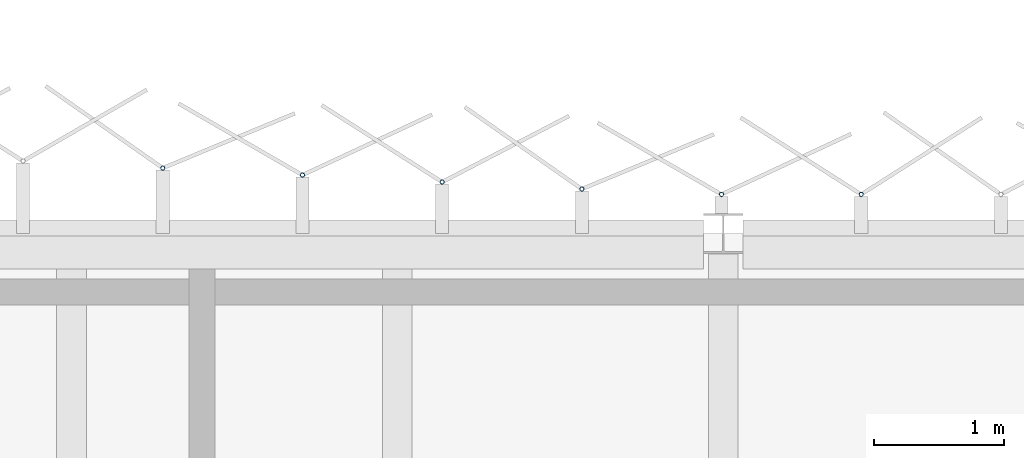
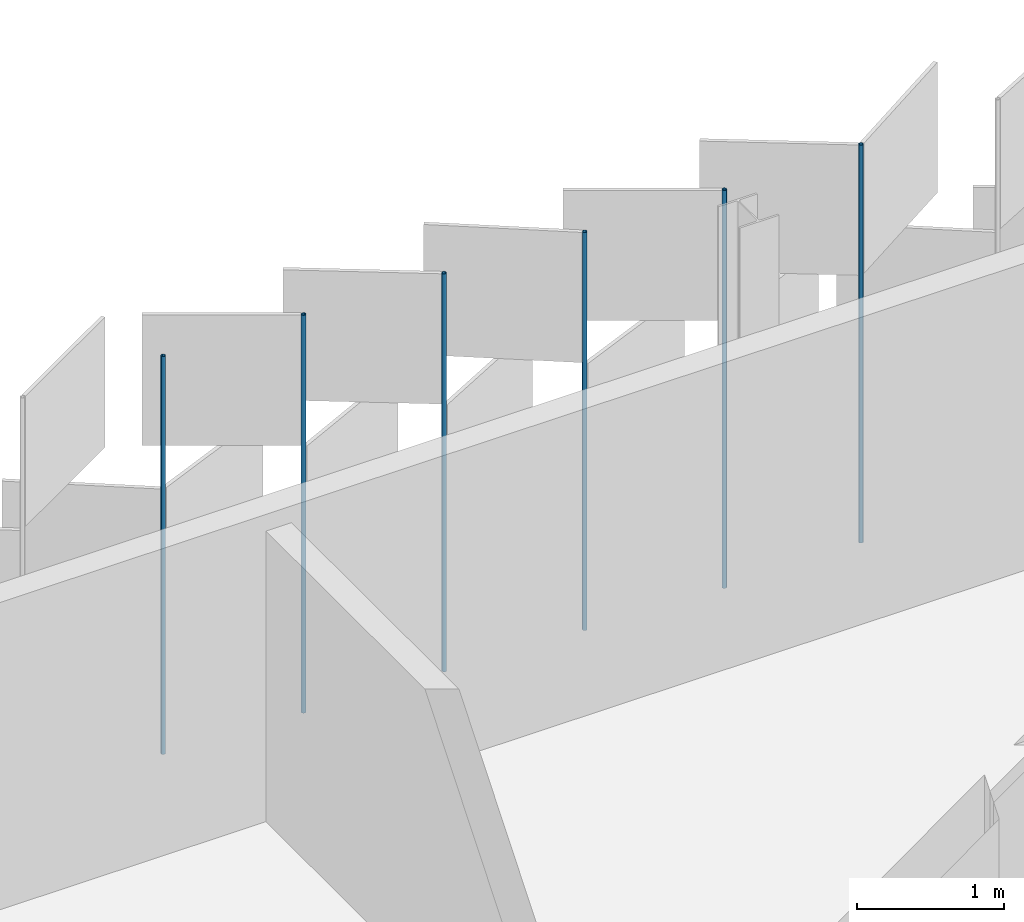
# One storey, part 136 of 198: 6 discrete accessories.
"""IFC4 building model written with IfcOpenShell, lengths in metres."""

from ifc_helpers import new_model, si_unit, direction, frame, origin, origin_2d, place, context, subcontext, project, spatial, hollow_circle, extrude, material, material_profile, profile_set, type_object, element, save


model = new_model("IFC4")

# Units and contexts
model_context = context("Model", 3, precision=1e-05, world=origin(), true_north=direction((0.0, 1.0)))
body_context = subcontext(model_context, "Body", "Model", "MODEL_VIEW")
ifc_project = project(units=[si_unit("LENGTHUNIT", "METRE"), si_unit("AREAUNIT", "SQUARE_METRE"), si_unit("VOLUMEUNIT", "CUBIC_METRE"), si_unit("PLANEANGLEUNIT", "RADIAN"), si_unit("MASSUNIT", "GRAM", prefix="KILO")], contexts=[model_context])

# Site, building, storey
site_placement = place(None, origin())
site = spatial("IfcSite", under=ifc_project, at=site_placement, CompositionType="ELEMENT")
building_placement = place(site_placement, origin())
building = spatial("IfcBuilding", under=site, at=building_placement, Name="Parallax Yard Mobility Hub", CompositionType="ELEMENT")
storey_placement = place(building_placement, frame((0.0, 0.0, 6.60009765625)))
storey = spatial("IfcBuildingStorey", under=building, at=storey_placement, Name="L02", CompositionType="ELEMENT", Elevation=6.60009765625)

# Discrete accessories
ifc_material = material(Name="Steel ASTM A500 Gr C, hot-dip galvanised", Category="steel")
ifc_material_profile = material_profile(ifc_material, hollow_circle(Radius=0.016845703125, WallThickness=0.003173828125, at=origin_2d()), Name="CHS 33.7x3.2")
ifc_profile_set = profile_set([ifc_material_profile], Name="Steel ASTM A500 Gr C, hot-dip galvanised")
discrete_accessory_type = type_object("IfcDiscreteAccessoryType", Name="Hinge post CHS 33.7x3.2", PredefinedType="BRACKET", material=ifc_profile_set)
for number, where, z_axis, x_axis, name in (
    (1, (46.058349609375, 142.800048828125, 0.0), (0.0, 0.0, 1.0), (1.0, 0.0, 0.0), "Hinge post bay 67.7 level L02"),
    (2, (44.98681640625, 142.800048828125, 0.0), (0.0, 0.0, 1.0), (1.0, 0.0, 0.0), "Hinge post bay 68.1 level L02"),
    (3, (43.915283203125, 142.841064453125, 0.0), (0.0, 0.0, 1.0), (1.0, 0.0, 0.0), "Hinge post bay 68.2 level L02"),
    (4, (42.84375, 142.894775390625, 0.0), (0.0, 0.0, 1.0), (1.0, 0.0, 0.0), "Hinge post bay 68.3 level L02"),
    (5, (41.772216796875, 142.9482421875, 0.0), (0.0, 0.0, 1.0), (1.0, 0.0, 0.0), "Hinge post bay 68.4 level L02"),
    (6, (40.700439453125, 143.001708984375, 0.0), (0.0, 0.0, 1.0), (1.0, 0.0, 0.0), "Hinge post bay 68.5 level L02"),
):
    element("IfcDiscreteAccessory", number, at=place(storey_placement, frame(where, z_axis=z_axis, x_axis=x_axis)), inside=storey, type_object=discrete_accessory_type, Name=name, PredefinedType="BRACKET", context=body_context, shape_type="SweptSolid", body=[
        extrude(hollow_circle(Radius=0.016845703125, WallThickness=0.003173828125, at=origin_2d()), origin(), (0.0, 0.0, 1.0), 3.2998046875),
    ])

save(model, "model.ifc")
